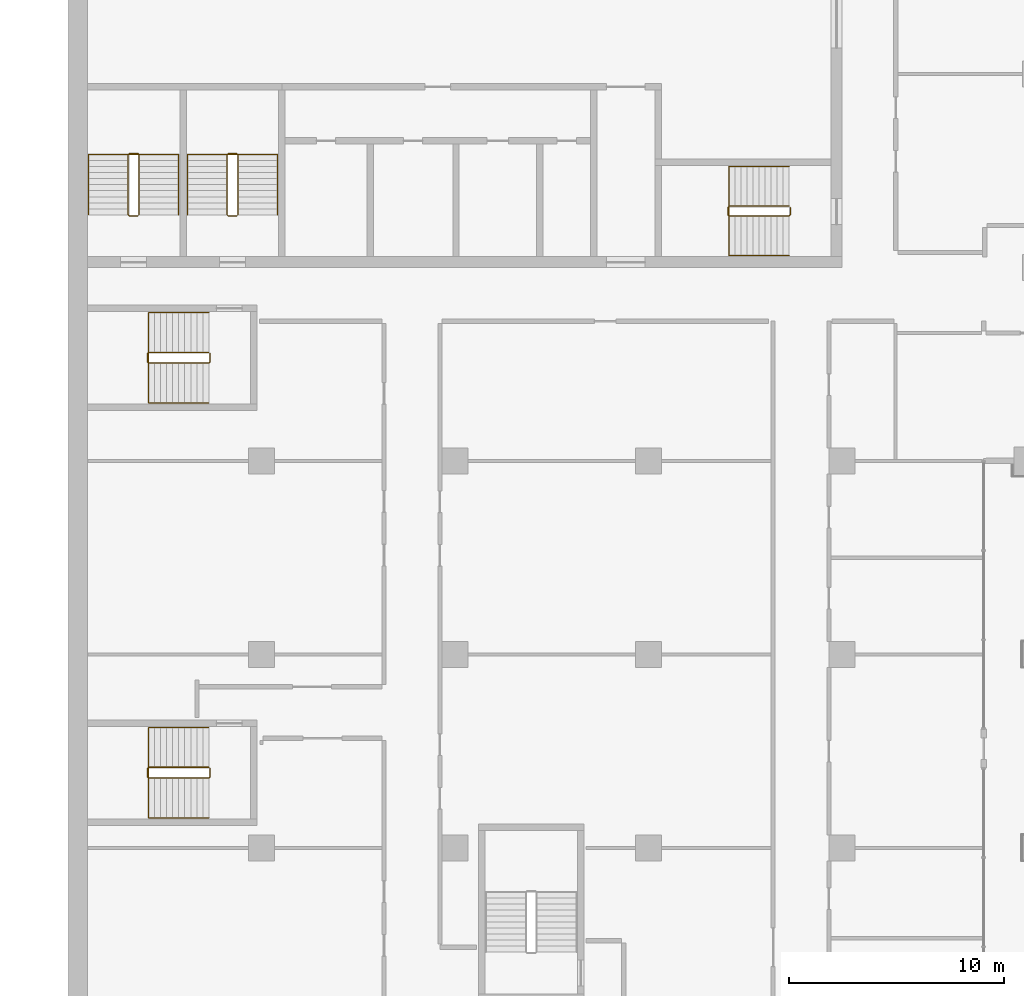
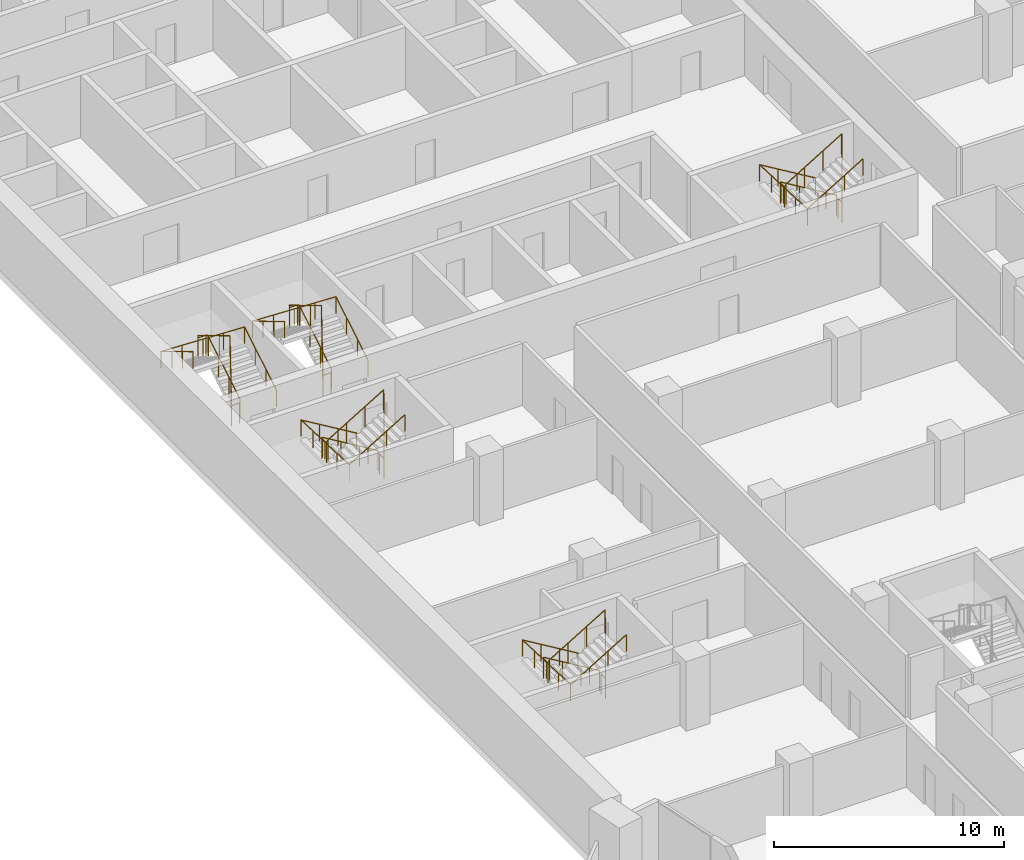
# One storey, part 20 of 22: 10 railings.
"""IFC4 building model written with IfcOpenShell, lengths in metres."""

from ifc_helpers import new_model, si_unit, direction, frame, origin, origin_2d, place, context, subcontext, project, spatial, circle, extrude, material, type_object, element, save


model = new_model("IFC4")

# Units and contexts
model_context = context("Model", 3, precision=1e-05, world=origin(), true_north=direction((0.0, 1.0)))
body_context = subcontext(model_context, "Body", "Model", "MODEL_VIEW")
ifc_project = project(units=[si_unit("LENGTHUNIT", "METRE"), si_unit("AREAUNIT", "SQUARE_METRE"), si_unit("VOLUMEUNIT", "CUBIC_METRE"), si_unit("PLANEANGLEUNIT", "RADIAN"), si_unit("MASSUNIT", "GRAM", prefix="KILO")], contexts=[model_context])

# Site, building, storey
site_placement = place(None, origin())
site = spatial("IfcSite", under=ifc_project, at=site_placement, CompositionType="ELEMENT")
building_placement = place(site_placement, origin())
building = spatial("IfcBuilding", under=site, at=building_placement, Name="Hunhe Ridgeline Campus", CompositionType="ELEMENT")
storey_placement = place(building_placement, frame((0.0, 0.0, 133.800048828125)))
storey = spatial("IfcBuildingStorey", under=building, at=storey_placement, Name="L33", CompositionType="ELEMENT", Elevation=133.800048828125)

# Railings
ifc_material_1 = material(Name="Stainless steel balustrade", Category="steel")
railing_type_1 = type_object("IfcRailingType", Name="Stair guard 1100 stainless", PredefinedType="GUARDRAIL", material=ifc_material_1)
railing_1_placement = place(storey_placement, frame((33.550048828125, 65.85009765625, 0.168212890625)))
element("IfcRailing", 1, at=railing_1_placement, inside=storey, type_object=railing_type_1, Name="L33 stair S2 guard", PredefinedType="GUARDRAIL", context=body_context, shape_type="SweptSolid", body=[
    extrude(circle(Radius=0.02392578125, at=origin_2d()), frame((0.0, 0.0, 1.076171875), z_axis=(-0.857275202839, 0.0, 0.514858452973), x_axis=(0.0, -1.0, 0.0)), (0.0, 0.0, 1.0), 3.26611328125),
    extrude(circle(Radius=0.02392578125, at=origin_2d()), frame((-2.800048828125, 0.0, 2.7578125), z_axis=(-0.707106781187, -0.707106781187, 0.0), x_axis=(0.707106781187, -0.707106781187, 0.0)), (0.0, 0.0, 1.0), 0.07080078125),
    extrude(circle(Radius=0.02392578125, at=origin_2d()), frame((-2.85009765625, -0.050048828125, 2.7578125), z_axis=(0.0, -1.0, 0.0), x_axis=(1.0, 0.0, 0.0)), (0.0, 0.0, 1.0), 0.35009765625),
    extrude(circle(Radius=0.02392578125, at=origin_2d()), frame((-2.85009765625, -0.400146484375, 2.7578125), z_axis=(0.274243871929, -0.274243871929, 0.92172696468), x_axis=(0.707106781187, 0.707106781187, 0.0)), (0.0, 0.0, 1.0), 0.1826171875),
    extrude(circle(Radius=0.02392578125, at=origin_2d()), frame((-2.800048828125, -0.4501953125, 2.92578125), z_axis=(0.857242210791, 0.0, 0.514913383045), x_axis=(0.0, 1.0, 0.0)), (0.0, 0.0, 1.0), 3.266357421875),
    extrude(circle(Radius=0.02392578125, at=origin_2d()), frame((0.0, -0.4501953125, 4.60791015625), z_axis=(0.013524414389, 0.013524414389, -0.999817073484), x_axis=(-0.707106781187, 0.707106781187, 0.0)), (0.0, 0.0, 1.0), 3.70068359375),
    extrude(circle(Radius=0.02392578125, at=origin_2d()), frame((0.050048828125, -0.400146484375, 0.90771484375), z_axis=(0.0, 1.0, 0.0), x_axis=(-1.0, 0.0, 0.0)), (0.0, 0.0, 1.0), 0.35009765625),
    extrude(circle(Radius=0.02099609375, at=origin_2d()), origin(), (0.0, 0.0, 1.0), 1.052001953125),
    extrude(circle(Radius=0.02099609375, at=origin_2d()), frame((-0.933349609375, 0.0, 0.560546875)), (0.0, 0.0, 1.0), 1.052001953125),
    extrude(circle(Radius=0.02099609375, at=origin_2d()), frame((-1.86669921875, 0.0, 1.12109375)), (0.0, 0.0, 1.0), 1.052001953125),
    extrude(circle(Radius=0.02099609375, at=origin_2d()), frame((-2.800048828125, 0.0, 1.681640625)), (0.0, 0.0, 1.0), 1.052001953125),
    extrude(circle(Radius=0.02099609375, at=origin_2d()), frame((-2.85009765625, -0.050048828125, 1.681640625)), (0.0, 0.0, 1.0), 1.052001953125),
    extrude(circle(Radius=0.02099609375, at=origin_2d()), frame((-2.85009765625, -0.400146484375, 1.681640625)), (0.0, 0.0, 1.0), 1.052001953125),
    extrude(circle(Radius=0.02099609375, at=origin_2d()), frame((-2.800048828125, -0.4501953125, 1.849853515625)), (0.0, 0.0, 1.0), 1.052001953125),
    extrude(circle(Radius=0.02099609375, at=origin_2d()), frame((-1.86669921875, -0.4501953125, 2.410400390625)), (0.0, 0.0, 1.0), 1.052001953125),
    extrude(circle(Radius=0.02099609375, at=origin_2d()), frame((-0.933349609375, -0.4501953125, 2.97119140625)), (0.0, 0.0, 1.0), 1.052001953125),
    extrude(circle(Radius=0.02099609375, at=origin_2d()), frame((0.0, -0.4501953125, 3.53173828125)), (0.0, 0.0, 1.0), 1.052001953125),
    extrude(circle(Radius=0.02099609375, at=origin_2d()), frame((0.012451171875, -0.437744140625, 2.606689453125)), (0.0, 0.0, 1.0), 1.052001953125),
    extrude(circle(Radius=0.02099609375, at=origin_2d()), frame((0.02490234375, -0.42529296875, 1.681640625)), (0.0, 0.0, 1.0), 1.052001953125),
    extrude(circle(Radius=0.02099609375, at=origin_2d()), frame((0.03759765625, -0.41259765625, 0.7568359375)), (0.0, 0.0, 1.0), 1.052001953125),
    extrude(circle(Radius=0.02099609375, at=origin_2d()), frame((0.050048828125, -0.400146484375, -0.168212890625)), (0.0, 0.0, 1.0), 1.052001953125),
    extrude(circle(Radius=0.02099609375, at=origin_2d()), frame((0.050048828125, -0.050048828125, -0.168212890625)), (0.0, 0.0, 1.0), 1.052001953125),
])
railing_2_placement = place(storey_placement, frame((3.300048828125, 65.449951171875, 0.168212890625)))
element("IfcRailing", 2, at=railing_2_placement, inside=storey, type_object=railing_type_1, Name="L33 stair S3 guard", PredefinedType="GUARDRAIL", context=body_context, shape_type="SweptSolid", body=[
    extrude(circle(Radius=0.02392578125, at=origin_2d()), frame((0.0, 0.0, 1.076171875), z_axis=(0.0, 0.857275202839, 0.514858452973), x_axis=(-1.0, 0.0, 0.0)), (0.0, 0.0, 1.0), 3.26611328125),
    extrude(circle(Radius=0.02392578125, at=origin_2d()), frame((0.0, 2.800048828125, 2.7578125), z_axis=(-0.707106781187, 0.707106781187, 0.0), x_axis=(-0.707106781187, -0.707106781187, 0.0)), (0.0, 0.0, 1.0), 0.07080078125),
    extrude(circle(Radius=0.02392578125, at=origin_2d()), frame((-0.050048828125, 2.85009765625, 2.7578125), z_axis=(-1.0, 0.0, 0.0), x_axis=(0.0, -1.0, 0.0)), (0.0, 0.0, 1.0), 0.39990234375),
    extrude(circle(Radius=0.02392578125, at=origin_2d()), frame((-0.449951171875, 2.85009765625, 2.7578125), z_axis=(-0.274243871929, -0.274243871929, 0.92172696468), x_axis=(0.707106781187, -0.707106781187, 0.0)), (0.0, 0.0, 1.0), 0.1826171875),
    extrude(circle(Radius=0.02392578125, at=origin_2d()), frame((-0.5, 2.800048828125, 2.92578125), z_axis=(0.0, -0.857242210791, 0.514913383045), x_axis=(1.0, 0.0, 0.0)), (0.0, 0.0, 1.0), 3.266357421875),
    extrude(circle(Radius=0.02392578125, at=origin_2d()), frame((-0.5, 0.0, 4.60791015625), z_axis=(0.013524414389, -0.013524414389, -0.999817073484), x_axis=(0.707106781187, 0.707106781187, 0.0)), (0.0, 0.0, 1.0), 3.70068359375),
    extrude(circle(Radius=0.02392578125, at=origin_2d()), frame((-0.449951171875, -0.050048828125, 0.90771484375), z_axis=(1.0, 0.0, 0.0), x_axis=(0.0, 1.0, 0.0)), (0.0, 0.0, 1.0), 0.39990234375),
    extrude(circle(Radius=0.02099609375, at=origin_2d()), origin(), (0.0, 0.0, 1.0), 1.052001953125),
    extrude(circle(Radius=0.02099609375, at=origin_2d()), frame((0.0, 0.933349609375, 0.560546875)), (0.0, 0.0, 1.0), 1.052001953125),
    extrude(circle(Radius=0.02099609375, at=origin_2d()), frame((0.0, 1.86669921875, 1.12109375)), (0.0, 0.0, 1.0), 1.052001953125),
    extrude(circle(Radius=0.02099609375, at=origin_2d()), frame((0.0, 2.800048828125, 1.681640625)), (0.0, 0.0, 1.0), 1.052001953125),
    extrude(circle(Radius=0.02099609375, at=origin_2d()), frame((-0.050048828125, 2.85009765625, 1.681640625)), (0.0, 0.0, 1.0), 1.052001953125),
    extrude(circle(Radius=0.02099609375, at=origin_2d()), frame((-0.449951171875, 2.85009765625, 1.681640625)), (0.0, 0.0, 1.0), 1.052001953125),
    extrude(circle(Radius=0.02099609375, at=origin_2d()), frame((-0.5, 2.800048828125, 1.849853515625)), (0.0, 0.0, 1.0), 1.052001953125),
    extrude(circle(Radius=0.02099609375, at=origin_2d()), frame((-0.5, 1.86669921875, 2.410400390625)), (0.0, 0.0, 1.0), 1.052001953125),
    extrude(circle(Radius=0.02099609375, at=origin_2d()), frame((-0.5, 0.933349609375, 2.97119140625)), (0.0, 0.0, 1.0), 1.052001953125),
    extrude(circle(Radius=0.02099609375, at=origin_2d()), frame((-0.5, 0.0, 3.53173828125)), (0.0, 0.0, 1.0), 1.052001953125),
    extrude(circle(Radius=0.02099609375, at=origin_2d()), frame((-0.487548828125, -0.012451171875, 2.606689453125)), (0.0, 0.0, 1.0), 1.052001953125),
    extrude(circle(Radius=0.02099609375, at=origin_2d()), frame((-0.47509765625, -0.02490234375, 1.681640625)), (0.0, 0.0, 1.0), 1.052001953125),
    extrude(circle(Radius=0.02099609375, at=origin_2d()), frame((-0.46240234375, -0.03759765625, 0.7568359375)), (0.0, 0.0, 1.0), 1.052001953125),
    extrude(circle(Radius=0.02099609375, at=origin_2d()), frame((-0.449951171875, -0.050048828125, -0.168212890625)), (0.0, 0.0, 1.0), 1.052001953125),
    extrude(circle(Radius=0.02099609375, at=origin_2d()), frame((-0.050048828125, -0.050048828125, -0.168212890625)), (0.0, 0.0, 1.0), 1.052001953125),
])
railing_3_placement = place(storey_placement, frame((7.89990234375, 65.449951171875, 0.168212890625)))
element("IfcRailing", 3, at=railing_3_placement, inside=storey, type_object=railing_type_1, Name="L33 stair S4 guard", PredefinedType="GUARDRAIL", context=body_context, shape_type="SweptSolid", body=[
    extrude(circle(Radius=0.02392578125, at=origin_2d()), frame((0.0, 0.0, 1.076171875), z_axis=(0.0, 0.857275202839, 0.514858452973), x_axis=(-1.0, 0.0, 0.0)), (0.0, 0.0, 1.0), 3.26611328125),
    extrude(circle(Radius=0.02392578125, at=origin_2d()), frame((0.0, 2.800048828125, 2.7578125), z_axis=(-0.705375805398, 0.708833529934, 0.0), x_axis=(-0.708833529934, -0.705375805398, 0.0)), (0.0, 0.0, 1.0), 0.070556640625),
    extrude(circle(Radius=0.02392578125, at=origin_2d()), frame((-0.0498046875, 2.85009765625, 2.7578125), z_axis=(-1.0, 0.0, 0.0), x_axis=(0.0, -1.0, 0.0)), (0.0, 0.0, 1.0), 0.400146484375),
    extrude(circle(Radius=0.02392578125, at=origin_2d()), frame((-0.449951171875, 2.85009765625, 2.7578125), z_axis=(-0.274243871929, -0.274243871929, 0.92172696468), x_axis=(0.707106781187, -0.707106781187, 0.0)), (0.0, 0.0, 1.0), 0.1826171875),
    extrude(circle(Radius=0.02392578125, at=origin_2d()), frame((-0.5, 2.800048828125, 2.92578125), z_axis=(0.0, -0.857242210791, 0.514913383045), x_axis=(1.0, 0.0, 0.0)), (0.0, 0.0, 1.0), 3.266357421875),
    extrude(circle(Radius=0.02392578125, at=origin_2d()), frame((-0.5, 0.0, 4.60791015625), z_axis=(0.013524414389, -0.013524414389, -0.999817073484), x_axis=(0.707106781187, 0.707106781187, 0.0)), (0.0, 0.0, 1.0), 3.70068359375),
    extrude(circle(Radius=0.02392578125, at=origin_2d()), frame((-0.449951171875, -0.050048828125, 0.90771484375), z_axis=(1.0, 0.0, 0.0), x_axis=(0.0, 1.0, 0.0)), (0.0, 0.0, 1.0), 0.400146484375),
    extrude(circle(Radius=0.02099609375, at=origin_2d()), origin(), (0.0, 0.0, 1.0), 1.052001953125),
    extrude(circle(Radius=0.02099609375, at=origin_2d()), frame((0.0, 0.933349609375, 0.560546875)), (0.0, 0.0, 1.0), 1.052001953125),
    extrude(circle(Radius=0.02099609375, at=origin_2d()), frame((0.0, 1.86669921875, 1.12109375)), (0.0, 0.0, 1.0), 1.052001953125),
    extrude(circle(Radius=0.02099609375, at=origin_2d()), frame((0.0, 2.800048828125, 1.681640625)), (0.0, 0.0, 1.0), 1.052001953125),
    extrude(circle(Radius=0.02099609375, at=origin_2d()), frame((-0.0498046875, 2.85009765625, 1.681640625)), (0.0, 0.0, 1.0), 1.052001953125),
    extrude(circle(Radius=0.02099609375, at=origin_2d()), frame((-0.449951171875, 2.85009765625, 1.681640625)), (0.0, 0.0, 1.0), 1.052001953125),
    extrude(circle(Radius=0.02099609375, at=origin_2d()), frame((-0.5, 2.800048828125, 1.849853515625)), (0.0, 0.0, 1.0), 1.052001953125),
    extrude(circle(Radius=0.02099609375, at=origin_2d()), frame((-0.5, 1.86669921875, 2.410400390625)), (0.0, 0.0, 1.0), 1.052001953125),
    extrude(circle(Radius=0.02099609375, at=origin_2d()), frame((-0.5, 0.933349609375, 2.97119140625)), (0.0, 0.0, 1.0), 1.052001953125),
    extrude(circle(Radius=0.02099609375, at=origin_2d()), frame((-0.5, 0.0, 3.53173828125)), (0.0, 0.0, 1.0), 1.052001953125),
    extrude(circle(Radius=0.02099609375, at=origin_2d()), frame((-0.487548828125, -0.012451171875, 2.606689453125)), (0.0, 0.0, 1.0), 1.052001953125),
    extrude(circle(Radius=0.02099609375, at=origin_2d()), frame((-0.47509765625, -0.02490234375, 1.681640625)), (0.0, 0.0, 1.0), 1.052001953125),
    extrude(circle(Radius=0.02099609375, at=origin_2d()), frame((-0.46240234375, -0.03759765625, 0.7568359375)), (0.0, 0.0, 1.0), 1.052001953125),
    extrude(circle(Radius=0.02099609375, at=origin_2d()), frame((-0.449951171875, -0.050048828125, -0.168212890625)), (0.0, 0.0, 1.0), 1.052001953125),
    extrude(circle(Radius=0.02099609375, at=origin_2d()), frame((-0.0498046875, -0.050048828125, -0.168212890625)), (0.0, 0.0, 1.0), 1.052001953125),
])
railing_4_placement = place(storey_placement, frame((6.550048828125, 39.75, 0.168212890625)))
element("IfcRailing", 4, at=railing_4_placement, inside=storey, type_object=railing_type_1, Name="L33 stair W1 guard", PredefinedType="GUARDRAIL", context=body_context, shape_type="SweptSolid", body=[
    extrude(circle(Radius=0.02392578125, at=origin_2d()), frame((0.0, 0.0, 1.076171875), z_axis=(-0.857275202839, 0.0, 0.514858452973), x_axis=(0.0, -1.0, 0.0)), (0.0, 0.0, 1.0), 3.26611328125),
    extrude(circle(Radius=0.02392578125, at=origin_2d()), frame((-2.800048828125, 0.0, 2.7578125), z_axis=(-0.707106781187, -0.707106781187, 0.0), x_axis=(0.707106781187, -0.707106781187, 0.0)), (0.0, 0.0, 1.0), 0.07080078125),
    extrude(circle(Radius=0.02392578125, at=origin_2d()), frame((-2.85009765625, -0.050048828125, 2.7578125), z_axis=(0.0, -1.0, 0.0), x_axis=(1.0, 0.0, 0.0)), (0.0, 0.0, 1.0), 0.39990234375),
    extrude(circle(Radius=0.02392578125, at=origin_2d()), frame((-2.85009765625, -0.449951171875, 2.7578125), z_axis=(0.274243871929, -0.274243871929, 0.92172696468), x_axis=(0.707106781187, 0.707106781187, 0.0)), (0.0, 0.0, 1.0), 0.1826171875),
    extrude(circle(Radius=0.02392578125, at=origin_2d()), frame((-2.800048828125, -0.5, 2.92578125), z_axis=(0.857242210791, 0.0, 0.514913383045), x_axis=(0.0, 1.0, 0.0)), (0.0, 0.0, 1.0), 3.266357421875),
    extrude(circle(Radius=0.02392578125, at=origin_2d()), frame((0.0, -0.5, 4.60791015625), z_axis=(0.013524414389, 0.013524414389, -0.999817073484), x_axis=(-0.707106781187, 0.707106781187, 0.0)), (0.0, 0.0, 1.0), 3.70068359375),
    extrude(circle(Radius=0.02392578125, at=origin_2d()), frame((0.050048828125, -0.449951171875, 0.90771484375), z_axis=(0.0, 1.0, 0.0), x_axis=(-1.0, 0.0, 0.0)), (0.0, 0.0, 1.0), 0.39990234375),
    extrude(circle(Radius=0.02099609375, at=origin_2d()), origin(), (0.0, 0.0, 1.0), 1.052001953125),
    extrude(circle(Radius=0.02099609375, at=origin_2d()), frame((-0.933349609375, 0.0, 0.560546875)), (0.0, 0.0, 1.0), 1.052001953125),
    extrude(circle(Radius=0.02099609375, at=origin_2d()), frame((-1.86669921875, 0.0, 1.12109375)), (0.0, 0.0, 1.0), 1.052001953125),
    extrude(circle(Radius=0.02099609375, at=origin_2d()), frame((-2.800048828125, 0.0, 1.681640625)), (0.0, 0.0, 1.0), 1.052001953125),
    extrude(circle(Radius=0.02099609375, at=origin_2d()), frame((-2.85009765625, -0.050048828125, 1.681640625)), (0.0, 0.0, 1.0), 1.052001953125),
    extrude(circle(Radius=0.02099609375, at=origin_2d()), frame((-2.85009765625, -0.449951171875, 1.681640625)), (0.0, 0.0, 1.0), 1.052001953125),
    extrude(circle(Radius=0.02099609375, at=origin_2d()), frame((-2.800048828125, -0.5, 1.849853515625)), (0.0, 0.0, 1.0), 1.052001953125),
    extrude(circle(Radius=0.02099609375, at=origin_2d()), frame((-1.86669921875, -0.5, 2.410400390625)), (0.0, 0.0, 1.0), 1.052001953125),
    extrude(circle(Radius=0.02099609375, at=origin_2d()), frame((-0.933349609375, -0.5, 2.97119140625)), (0.0, 0.0, 1.0), 1.052001953125),
    extrude(circle(Radius=0.02099609375, at=origin_2d()), frame((0.0, -0.5, 3.53173828125)), (0.0, 0.0, 1.0), 1.052001953125),
    extrude(circle(Radius=0.02099609375, at=origin_2d()), frame((0.012451171875, -0.487548828125, 2.606689453125)), (0.0, 0.0, 1.0), 1.052001953125),
    extrude(circle(Radius=0.02099609375, at=origin_2d()), frame((0.02490234375, -0.47509765625, 1.681640625)), (0.0, 0.0, 1.0), 1.052001953125),
    extrude(circle(Radius=0.02099609375, at=origin_2d()), frame((0.03759765625, -0.46240234375, 0.7568359375)), (0.0, 0.0, 1.0), 1.052001953125),
    extrude(circle(Radius=0.02099609375, at=origin_2d()), frame((0.050048828125, -0.449951171875, -0.168212890625)), (0.0, 0.0, 1.0), 1.052001953125),
    extrude(circle(Radius=0.02099609375, at=origin_2d()), frame((0.050048828125, -0.050048828125, -0.168212890625)), (0.0, 0.0, 1.0), 1.052001953125),
])
railing_5_placement = place(storey_placement, frame((6.550048828125, 59.050048828125, 0.168212890625)))
element("IfcRailing", 5, at=railing_5_placement, inside=storey, type_object=railing_type_1, Name="L33 stair W2 guard", PredefinedType="GUARDRAIL", context=body_context, shape_type="SweptSolid", body=[
    extrude(circle(Radius=0.02392578125, at=origin_2d()), frame((0.0, 0.0, 1.076171875), z_axis=(-0.857275202839, 0.0, 0.514858452973), x_axis=(0.0, -1.0, 0.0)), (0.0, 0.0, 1.0), 3.26611328125),
    extrude(circle(Radius=0.02392578125, at=origin_2d()), frame((-2.800048828125, 0.0, 2.7578125), z_axis=(-0.707106781187, -0.707106781187, 0.0), x_axis=(0.707106781187, -0.707106781187, 0.0)), (0.0, 0.0, 1.0), 0.07080078125),
    extrude(circle(Radius=0.02392578125, at=origin_2d()), frame((-2.85009765625, -0.050048828125, 2.7578125), z_axis=(0.0, -1.0, 0.0), x_axis=(1.0, 0.0, 0.0)), (0.0, 0.0, 1.0), 0.39990234375),
    extrude(circle(Radius=0.02392578125, at=origin_2d()), frame((-2.85009765625, -0.449951171875, 2.7578125), z_axis=(0.274243871929, -0.274243871929, 0.92172696468), x_axis=(0.707106781187, 0.707106781187, 0.0)), (0.0, 0.0, 1.0), 0.1826171875),
    extrude(circle(Radius=0.02392578125, at=origin_2d()), frame((-2.800048828125, -0.5, 2.92578125), z_axis=(0.857242210791, 0.0, 0.514913383045), x_axis=(0.0, 1.0, 0.0)), (0.0, 0.0, 1.0), 3.266357421875),
    extrude(circle(Radius=0.02392578125, at=origin_2d()), frame((0.0, -0.5, 4.60791015625), z_axis=(0.013524414389, 0.013524414389, -0.999817073484), x_axis=(-0.707106781187, 0.707106781187, 0.0)), (0.0, 0.0, 1.0), 3.70068359375),
    extrude(circle(Radius=0.02392578125, at=origin_2d()), frame((0.050048828125, -0.449951171875, 0.90771484375), z_axis=(0.0, 1.0, 0.0), x_axis=(-1.0, 0.0, 0.0)), (0.0, 0.0, 1.0), 0.39990234375),
    extrude(circle(Radius=0.02099609375, at=origin_2d()), origin(), (0.0, 0.0, 1.0), 1.052001953125),
    extrude(circle(Radius=0.02099609375, at=origin_2d()), frame((-0.933349609375, 0.0, 0.560546875)), (0.0, 0.0, 1.0), 1.052001953125),
    extrude(circle(Radius=0.02099609375, at=origin_2d()), frame((-1.86669921875, 0.0, 1.12109375)), (0.0, 0.0, 1.0), 1.052001953125),
    extrude(circle(Radius=0.02099609375, at=origin_2d()), frame((-2.800048828125, 0.0, 1.681640625)), (0.0, 0.0, 1.0), 1.052001953125),
    extrude(circle(Radius=0.02099609375, at=origin_2d()), frame((-2.85009765625, -0.050048828125, 1.681640625)), (0.0, 0.0, 1.0), 1.052001953125),
    extrude(circle(Radius=0.02099609375, at=origin_2d()), frame((-2.85009765625, -0.449951171875, 1.681640625)), (0.0, 0.0, 1.0), 1.052001953125),
    extrude(circle(Radius=0.02099609375, at=origin_2d()), frame((-2.800048828125, -0.5, 1.849853515625)), (0.0, 0.0, 1.0), 1.052001953125),
    extrude(circle(Radius=0.02099609375, at=origin_2d()), frame((-1.86669921875, -0.5, 2.410400390625)), (0.0, 0.0, 1.0), 1.052001953125),
    extrude(circle(Radius=0.02099609375, at=origin_2d()), frame((-0.933349609375, -0.5, 2.97119140625)), (0.0, 0.0, 1.0), 1.052001953125),
    extrude(circle(Radius=0.02099609375, at=origin_2d()), frame((0.0, -0.5, 3.53173828125)), (0.0, 0.0, 1.0), 1.052001953125),
    extrude(circle(Radius=0.02099609375, at=origin_2d()), frame((0.012451171875, -0.487548828125, 2.606689453125)), (0.0, 0.0, 1.0), 1.052001953125),
    extrude(circle(Radius=0.02099609375, at=origin_2d()), frame((0.02490234375, -0.47509765625, 1.681640625)), (0.0, 0.0, 1.0), 1.052001953125),
    extrude(circle(Radius=0.02099609375, at=origin_2d()), frame((0.03759765625, -0.46240234375, 0.7568359375)), (0.0, 0.0, 1.0), 1.052001953125),
    extrude(circle(Radius=0.02099609375, at=origin_2d()), frame((0.050048828125, -0.449951171875, -0.168212890625)), (0.0, 0.0, 1.0), 1.052001953125),
    extrude(circle(Radius=0.02099609375, at=origin_2d()), frame((0.050048828125, -0.050048828125, -0.168212890625)), (0.0, 0.0, 1.0), 1.052001953125),
])
ifc_material_2 = material(Name="Stainless steel handrail", Category="steel")
railing_type_2 = type_object("IfcRailingType", Name="Stair handrail 900 stainless", PredefinedType="HANDRAIL", material=ifc_material_2)
railing_6_placement = place(storey_placement, frame((33.550048828125, 67.699951171875, 0.168212890625)))
element("IfcRailing", 6, at=railing_6_placement, inside=storey, type_object=railing_type_2, Name="L33 stair S2 handrail", PredefinedType="HANDRAIL", context=body_context, shape_type="SweptSolid", body=[
    extrude(circle(Radius=0.02392578125, at=origin_2d()), frame((0.0, 0.0, 0.8759765625), z_axis=(-0.857275202839, 0.0, 0.514858452973), x_axis=(0.0, -1.0, 0.0)), (0.0, 0.0, 1.0), 3.26611328125),
    extrude(circle(Radius=0.02392578125, at=origin_2d()), frame((-2.800048828125, 0.0, 2.5576171875), z_axis=(0.0, -0.99917950104, 0.040500922239), x_axis=(1.0, 0.0, 0.0)), (0.0, 0.0, 1.0), 4.1533203125),
    extrude(circle(Radius=0.02392578125, at=origin_2d()), frame((-2.800048828125, -4.14990234375, 2.7255859375), z_axis=(0.857242210791, 0.0, 0.514913383045), x_axis=(0.0, 1.0, 0.0)), (0.0, 0.0, 1.0), 3.266357421875),
    extrude(circle(Radius=0.02099609375, at=origin_2d()), origin(), (0.0, 0.0, 1.0), 0.851806640625),
    extrude(circle(Radius=0.02099609375, at=origin_2d()), frame((-0.933349609375, 0.0, 0.560546875)), (0.0, 0.0, 1.0), 0.851806640625),
    extrude(circle(Radius=0.02099609375, at=origin_2d()), frame((-1.86669921875, 0.0, 1.12109375)), (0.0, 0.0, 1.0), 0.851806640625),
    extrude(circle(Radius=0.02099609375, at=origin_2d()), frame((-2.800048828125, 0.0, 1.681640625)), (0.0, 0.0, 1.0), 0.851806640625),
    extrude(circle(Radius=0.02099609375, at=origin_2d()), frame((-2.800048828125, -1.03759765625, 1.7236328125)), (0.0, 0.0, 1.0), 0.851806640625),
    extrude(circle(Radius=0.02099609375, at=origin_2d()), frame((-2.800048828125, -2.074951171875, 1.765625)), (0.0, 0.0, 1.0), 0.851806640625),
    extrude(circle(Radius=0.02099609375, at=origin_2d()), frame((-2.800048828125, -3.1123046875, 1.807861328125)), (0.0, 0.0, 1.0), 0.851806640625),
    extrude(circle(Radius=0.02099609375, at=origin_2d()), frame((-2.800048828125, -4.14990234375, 1.849853515625)), (0.0, 0.0, 1.0), 0.851806640625),
    extrude(circle(Radius=0.02099609375, at=origin_2d()), frame((-1.86669921875, -4.14990234375, 2.410400390625)), (0.0, 0.0, 1.0), 0.851806640625),
    extrude(circle(Radius=0.02099609375, at=origin_2d()), frame((-0.933349609375, -4.14990234375, 2.97119140625)), (0.0, 0.0, 1.0), 0.851806640625),
    extrude(circle(Radius=0.02099609375, at=origin_2d()), frame((0.0, -4.14990234375, 3.53173828125)), (0.0, 0.0, 1.0), 0.851806640625),
])
railing_7_placement = place(storey_placement, frame((5.14990234375, 65.449951171875, 0.168212890625)))
element("IfcRailing", 7, at=railing_7_placement, inside=storey, type_object=railing_type_2, Name="L33 stair S3 handrail", PredefinedType="HANDRAIL", context=body_context, shape_type="SweptSolid", body=[
    extrude(circle(Radius=0.02392578125, at=origin_2d()), frame((0.0, 0.0, 0.8759765625), z_axis=(0.0, 0.857275202839, 0.514858452973), x_axis=(-1.0, 0.0, 0.0)), (0.0, 0.0, 1.0), 3.26611328125),
    extrude(circle(Radius=0.02392578125, at=origin_2d()), frame((0.0, 2.800048828125, 2.5576171875), z_axis=(-0.999198916169, 0.0, 0.040019069537), x_axis=(0.0, -1.0, 0.0)), (0.0, 0.0, 1.0), 4.203369140625),
    extrude(circle(Radius=0.02392578125, at=origin_2d()), frame((-4.199951171875, 2.800048828125, 2.7255859375), z_axis=(0.0, -0.857242210791, 0.514913383045), x_axis=(1.0, 0.0, 0.0)), (0.0, 0.0, 1.0), 3.266357421875),
    extrude(circle(Radius=0.02099609375, at=origin_2d()), origin(), (0.0, 0.0, 1.0), 0.851806640625),
    extrude(circle(Radius=0.02099609375, at=origin_2d()), frame((0.0, 0.933349609375, 0.560546875)), (0.0, 0.0, 1.0), 0.851806640625),
    extrude(circle(Radius=0.02099609375, at=origin_2d()), frame((0.0, 1.86669921875, 1.12109375)), (0.0, 0.0, 1.0), 0.851806640625),
    extrude(circle(Radius=0.02099609375, at=origin_2d()), frame((0.0, 2.800048828125, 1.681640625)), (0.0, 0.0, 1.0), 0.851806640625),
    extrude(circle(Radius=0.02099609375, at=origin_2d()), frame((-1.050048828125, 2.800048828125, 1.7236328125)), (0.0, 0.0, 1.0), 0.851806640625),
    extrude(circle(Radius=0.02099609375, at=origin_2d()), frame((-2.10009765625, 2.800048828125, 1.765625)), (0.0, 0.0, 1.0), 0.851806640625),
    extrude(circle(Radius=0.02099609375, at=origin_2d()), frame((-3.14990234375, 2.800048828125, 1.807861328125)), (0.0, 0.0, 1.0), 0.851806640625),
    extrude(circle(Radius=0.02099609375, at=origin_2d()), frame((-4.199951171875, 2.800048828125, 1.849853515625)), (0.0, 0.0, 1.0), 0.851806640625),
    extrude(circle(Radius=0.02099609375, at=origin_2d()), frame((-4.199951171875, 1.86669921875, 2.410400390625)), (0.0, 0.0, 1.0), 0.851806640625),
    extrude(circle(Radius=0.02099609375, at=origin_2d()), frame((-4.199951171875, 0.933349609375, 2.97119140625)), (0.0, 0.0, 1.0), 0.851806640625),
    extrude(circle(Radius=0.02099609375, at=origin_2d()), frame((-4.199951171875, 0.0, 3.53173828125)), (0.0, 0.0, 1.0), 0.851806640625),
])
railing_8_placement = place(storey_placement, frame((9.75, 65.449951171875, 0.168212890625)))
element("IfcRailing", 8, at=railing_8_placement, inside=storey, type_object=railing_type_2, Name="L33 stair S4 handrail", PredefinedType="HANDRAIL", context=body_context, shape_type="SweptSolid", body=[
    extrude(circle(Radius=0.02392578125, at=origin_2d()), frame((0.0, 0.0, 0.8759765625), z_axis=(0.0, 0.857275202839, 0.514858452973), x_axis=(-1.0, 0.0, 0.0)), (0.0, 0.0, 1.0), 3.26611328125),
    extrude(circle(Radius=0.02392578125, at=origin_2d()), frame((0.0, 2.800048828125, 2.5576171875), z_axis=(-0.999198916169, 0.0, 0.040019069537), x_axis=(0.0, -1.0, 0.0)), (0.0, 0.0, 1.0), 4.203369140625),
    extrude(circle(Radius=0.02392578125, at=origin_2d()), frame((-4.199951171875, 2.800048828125, 2.7255859375), z_axis=(0.0, -0.857242210791, 0.514913383045), x_axis=(1.0, 0.0, 0.0)), (0.0, 0.0, 1.0), 3.266357421875),
    extrude(circle(Radius=0.02099609375, at=origin_2d()), origin(), (0.0, 0.0, 1.0), 0.851806640625),
    extrude(circle(Radius=0.02099609375, at=origin_2d()), frame((0.0, 0.933349609375, 0.560546875)), (0.0, 0.0, 1.0), 0.851806640625),
    extrude(circle(Radius=0.02099609375, at=origin_2d()), frame((0.0, 1.86669921875, 1.12109375)), (0.0, 0.0, 1.0), 0.851806640625),
    extrude(circle(Radius=0.02099609375, at=origin_2d()), frame((0.0, 2.800048828125, 1.681640625)), (0.0, 0.0, 1.0), 0.851806640625),
    extrude(circle(Radius=0.02099609375, at=origin_2d()), frame((-1.050048828125, 2.800048828125, 1.7236328125)), (0.0, 0.0, 1.0), 0.851806640625),
    extrude(circle(Radius=0.02099609375, at=origin_2d()), frame((-2.10009765625, 2.800048828125, 1.765625)), (0.0, 0.0, 1.0), 0.851806640625),
    extrude(circle(Radius=0.02099609375, at=origin_2d()), frame((-3.14990234375, 2.800048828125, 1.807861328125)), (0.0, 0.0, 1.0), 0.851806640625),
    extrude(circle(Radius=0.02099609375, at=origin_2d()), frame((-4.199951171875, 2.800048828125, 1.849853515625)), (0.0, 0.0, 1.0), 0.851806640625),
    extrude(circle(Radius=0.02099609375, at=origin_2d()), frame((-4.199951171875, 1.86669921875, 2.410400390625)), (0.0, 0.0, 1.0), 0.851806640625),
    extrude(circle(Radius=0.02099609375, at=origin_2d()), frame((-4.199951171875, 0.933349609375, 2.97119140625)), (0.0, 0.0, 1.0), 0.851806640625),
    extrude(circle(Radius=0.02099609375, at=origin_2d()), frame((-4.199951171875, 0.0, 3.53173828125)), (0.0, 0.0, 1.0), 0.851806640625),
])
railing_9_placement = place(storey_placement, frame((6.550048828125, 41.60009765625, 0.168212890625)))
element("IfcRailing", 9, at=railing_9_placement, inside=storey, type_object=railing_type_2, Name="L33 stair W1 handrail", PredefinedType="HANDRAIL", context=body_context, shape_type="SweptSolid", body=[
    extrude(circle(Radius=0.02392578125, at=origin_2d()), frame((0.0, 0.0, 0.8759765625), z_axis=(-0.857275202839, 0.0, 0.514858452973), x_axis=(0.0, -1.0, 0.0)), (0.0, 0.0, 1.0), 3.26611328125),
    extrude(circle(Radius=0.02392578125, at=origin_2d()), frame((-2.800048828125, 0.0, 2.5576171875), z_axis=(0.0, -0.999199009182, 0.040016747113), x_axis=(1.0, 0.0, 0.0)), (0.0, 0.0, 1.0), 4.20361328125),
    extrude(circle(Radius=0.02392578125, at=origin_2d()), frame((-2.800048828125, -4.2001953125, 2.7255859375), z_axis=(0.857242210791, 0.0, 0.514913383045), x_axis=(0.0, 1.0, 0.0)), (0.0, 0.0, 1.0), 3.266357421875),
    extrude(circle(Radius=0.02099609375, at=origin_2d()), origin(), (0.0, 0.0, 1.0), 0.851806640625),
    extrude(circle(Radius=0.02099609375, at=origin_2d()), frame((-0.933349609375, 0.0, 0.560546875)), (0.0, 0.0, 1.0), 0.851806640625),
    extrude(circle(Radius=0.02099609375, at=origin_2d()), frame((-1.86669921875, 0.0, 1.12109375)), (0.0, 0.0, 1.0), 0.851806640625),
    extrude(circle(Radius=0.02099609375, at=origin_2d()), frame((-2.800048828125, 0.0, 1.681640625)), (0.0, 0.0, 1.0), 0.851806640625),
    extrude(circle(Radius=0.02099609375, at=origin_2d()), frame((-2.800048828125, -1.050048828125, 1.7236328125)), (0.0, 0.0, 1.0), 0.851806640625),
    extrude(circle(Radius=0.02099609375, at=origin_2d()), frame((-2.800048828125, -2.10009765625, 1.765625)), (0.0, 0.0, 1.0), 0.851806640625),
    extrude(circle(Radius=0.02099609375, at=origin_2d()), frame((-2.800048828125, -3.150146484375, 1.807861328125)), (0.0, 0.0, 1.0), 0.851806640625),
    extrude(circle(Radius=0.02099609375, at=origin_2d()), frame((-2.800048828125, -4.2001953125, 1.849853515625)), (0.0, 0.0, 1.0), 0.851806640625),
    extrude(circle(Radius=0.02099609375, at=origin_2d()), frame((-1.86669921875, -4.2001953125, 2.410400390625)), (0.0, 0.0, 1.0), 0.851806640625),
    extrude(circle(Radius=0.02099609375, at=origin_2d()), frame((-0.933349609375, -4.2001953125, 2.97119140625)), (0.0, 0.0, 1.0), 0.851806640625),
    extrude(circle(Radius=0.02099609375, at=origin_2d()), frame((0.0, -4.2001953125, 3.53173828125)), (0.0, 0.0, 1.0), 0.851806640625),
])
railing_10_placement = place(storey_placement, frame((6.550048828125, 60.89990234375, 0.168212890625)))
element("IfcRailing", 10, at=railing_10_placement, inside=storey, type_object=railing_type_2, Name="L33 stair W2 handrail", PredefinedType="HANDRAIL", context=body_context, shape_type="SweptSolid", body=[
    extrude(circle(Radius=0.02392578125, at=origin_2d()), frame((0.0, 0.0, 0.8759765625), z_axis=(-0.857275202839, 0.0, 0.514858452973), x_axis=(0.0, -1.0, 0.0)), (0.0, 0.0, 1.0), 3.26611328125),
    extrude(circle(Radius=0.02392578125, at=origin_2d()), frame((-2.800048828125, 0.0, 2.5576171875), z_axis=(0.0, -0.999198916169, 0.040019069537), x_axis=(1.0, 0.0, 0.0)), (0.0, 0.0, 1.0), 4.203369140625),
    extrude(circle(Radius=0.02392578125, at=origin_2d()), frame((-2.800048828125, -4.199951171875, 2.7255859375), z_axis=(0.857242210791, 0.0, 0.514913383045), x_axis=(0.0, 1.0, 0.0)), (0.0, 0.0, 1.0), 3.266357421875),
    extrude(circle(Radius=0.02099609375, at=origin_2d()), origin(), (0.0, 0.0, 1.0), 0.851806640625),
    extrude(circle(Radius=0.02099609375, at=origin_2d()), frame((-0.933349609375, 0.0, 0.560546875)), (0.0, 0.0, 1.0), 0.851806640625),
    extrude(circle(Radius=0.02099609375, at=origin_2d()), frame((-1.86669921875, 0.0, 1.12109375)), (0.0, 0.0, 1.0), 0.851806640625),
    extrude(circle(Radius=0.02099609375, at=origin_2d()), frame((-2.800048828125, 0.0, 1.681640625)), (0.0, 0.0, 1.0), 0.851806640625),
    extrude(circle(Radius=0.02099609375, at=origin_2d()), frame((-2.800048828125, -1.050048828125, 1.7236328125)), (0.0, 0.0, 1.0), 0.851806640625),
    extrude(circle(Radius=0.02099609375, at=origin_2d()), frame((-2.800048828125, -2.10009765625, 1.765625)), (0.0, 0.0, 1.0), 0.851806640625),
    extrude(circle(Radius=0.02099609375, at=origin_2d()), frame((-2.800048828125, -3.14990234375, 1.807861328125)), (0.0, 0.0, 1.0), 0.851806640625),
    extrude(circle(Radius=0.02099609375, at=origin_2d()), frame((-2.800048828125, -4.199951171875, 1.849853515625)), (0.0, 0.0, 1.0), 0.851806640625),
    extrude(circle(Radius=0.02099609375, at=origin_2d()), frame((-1.86669921875, -4.199951171875, 2.410400390625)), (0.0, 0.0, 1.0), 0.851806640625),
    extrude(circle(Radius=0.02099609375, at=origin_2d()), frame((-0.933349609375, -4.199951171875, 2.97119140625)), (0.0, 0.0, 1.0), 0.851806640625),
    extrude(circle(Radius=0.02099609375, at=origin_2d()), frame((0.0, -4.199951171875, 3.53173828125)), (0.0, 0.0, 1.0), 0.851806640625),
])

save(model, "model.ifc")
